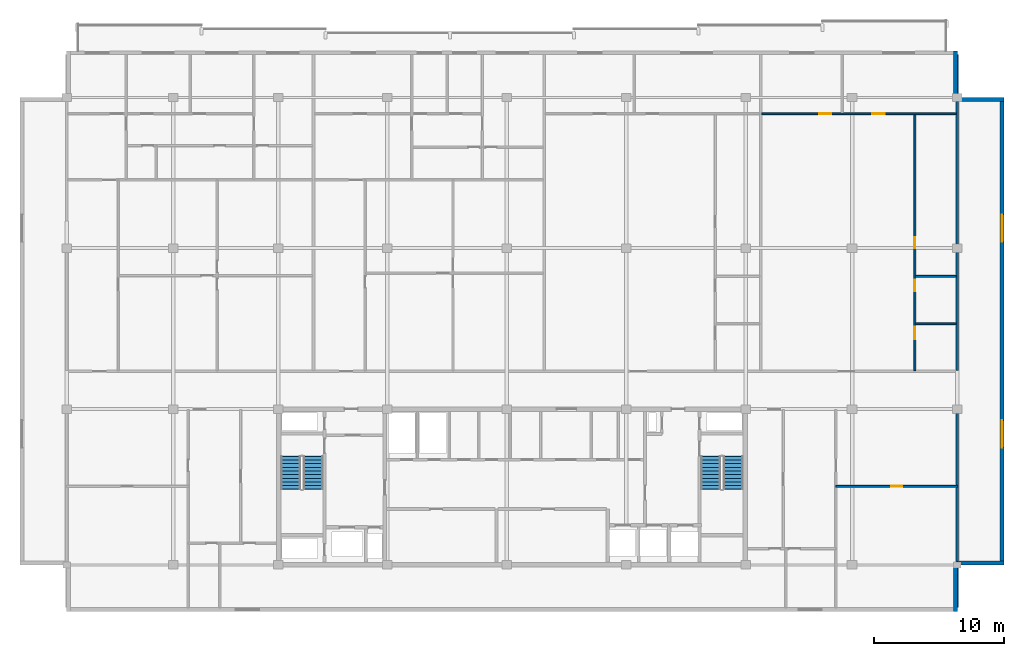
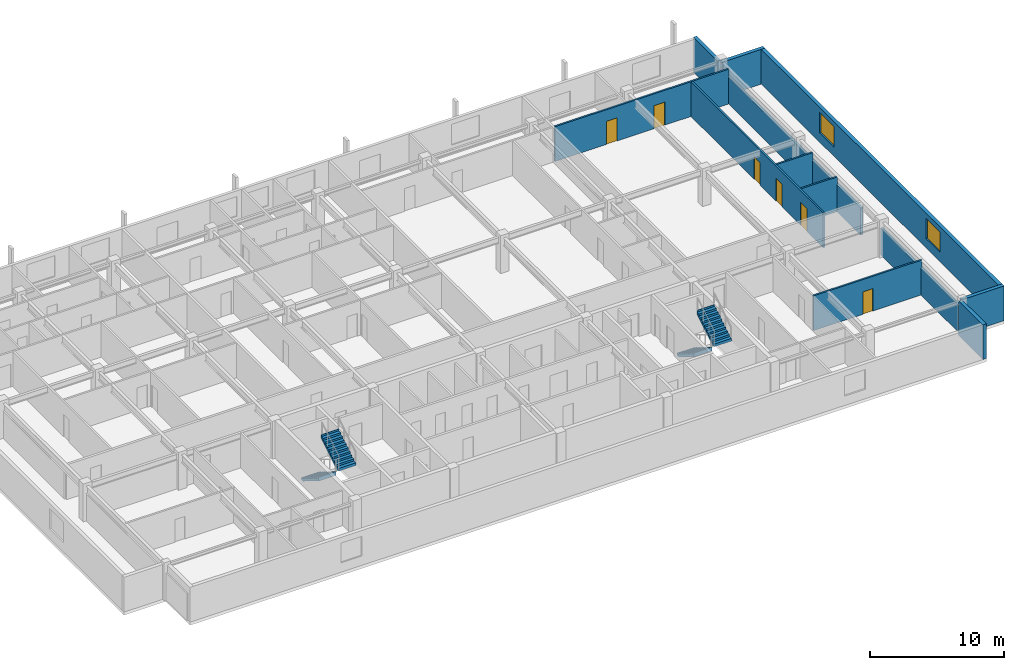
# One storey, part 9 of 11: 12 walls, 6 doors, 4 stair flights, 2 windows, 8 openings, 2 elements without a shape of their own.
"""IFC4 building model written with IfcOpenShell, lengths in metres."""

from ifc_helpers import new_model, si_unit, direction, frame, frame_2d, origin, place, context, subcontext, project, spatial, polyline, rectangle, outline, extrude, material, layer, layer_set, type_object, element, fill, aggregate, save


model = new_model("IFC4")

# Units and contexts
model_context = context("Model", 3, precision=1e-05, world=origin(), true_north=direction((0.0, 1.0)))
body_context = subcontext(model_context, "Body", "Model", "MODEL_VIEW")
ifc_project = project(units=[si_unit("LENGTHUNIT", "METRE"), si_unit("AREAUNIT", "SQUARE_METRE"), si_unit("VOLUMEUNIT", "CUBIC_METRE"), si_unit("PLANEANGLEUNIT", "RADIAN"), si_unit("MASSUNIT", "GRAM", prefix="KILO")], contexts=[model_context])

# Site, building, storey
site_placement = place(None, origin())
site = spatial("IfcSite", under=ifc_project, at=site_placement, CompositionType="ELEMENT")
building_placement = place(site_placement, origin())
building = spatial("IfcBuilding", under=site, at=building_placement, Name="Korimba Cascade Residences", CompositionType="ELEMENT")
storey_placement = place(building_placement, frame((0.0, 0.0, 252.800048828125)))
storey = spatial("IfcBuildingStorey", under=building, at=storey_placement, Name="L73", CompositionType="ELEMENT", Elevation=252.800048828125)

# Walls
ifc_material_1 = material(Name="Precast concrete C40/50", Category="concrete")
ifc_layer_1 = layer(ifc_material_1, 0.300048828125)
ifc_layer_set_1 = layer_set([ifc_layer_1], Name="Precast concrete C40/50")
wall_type_1 = type_object("IfcWallType", Name="EW-STONE-300", PredefinedType="STANDARD", material=ifc_layer_set_1)
wall_1_placement = place(storey_placement, frame((128.25, 51.60009765625, 0.0), z_axis=(0.0, 0.0, 1.0), x_axis=(0.0, 1.0, 0.0)))
element("IfcWall", 1, at=wall_1_placement, inside=storey, type_object=wall_type_1, Name="L73 T1 Perimeter Stone Wall E01", PredefinedType="STANDARD", context=body_context, shape_type="SweptSolid", body=[
    extrude(rectangle(XDim=3.599853515625, YDim=0.300048828125, at=frame_2d((1.7998046875, 0.0))), origin(), (0.0, 0.0, 1.0), 3.169921875),
])
wall_2_placement = place(storey_placement, frame((128.39990234375, 55.35009765625, 0.0), z_axis=(0.0, 0.0, 1.0), x_axis=(1.0, 0.0, 0.0)))
element("IfcWall", 2, at=wall_2_placement, inside=storey, type_object=wall_type_1, Name="L73 T1 Perimeter Stone Wall E02", PredefinedType="STANDARD", context=body_context, shape_type="SweptSolid", body=[
    extrude(rectangle(XDim=3.60009765625, YDim=0.300048828125, at=frame_2d((1.800048828125, 0.0))), origin(), (0.0, 0.0, 1.0), 3.169921875),
])

# Wall, openings, windows
wall_3_placement = place(storey_placement, frame((131.85009765625, 55.199951171875, 0.0), z_axis=(0.0, 0.0, 1.0), x_axis=(0.0, 1.0, 0.0)))
wall_3 = element("IfcWall", 3, at=wall_3_placement, inside=storey, type_object=wall_type_1, Name="L73 T1 Perimeter Stone Wall E03", PredefinedType="STANDARD", context=body_context, shape_type="SweptSolid", body=[
    extrude(rectangle(XDim=36.0, YDim=0.300048828125, at=frame_2d((18.0, 0.0))), origin(), (0.0, 0.0, 1.0), 3.169921875),
])
opening_1_placement = place(wall_3_placement, frame((9.030029296875, 0.0, 0.85009765625)))
opening_1 = element("IfcOpeningElement", 4, at=opening_1_placement, cuts=wall_3, Name="Opening W-03", PredefinedType="OPENING", context=body_context, shape_type="SweptSolid", body=[
    extrude(rectangle(XDim=2.10009765625, YDim=1.85009765625, at=frame_2d((1.050048828125, 0.925048828125))), frame((0.0, 0.16015625, 0.0), z_axis=(0.0, -1.0, 0.0), x_axis=(1.0, 0.0, 0.0)), (0.0, 0.0, 1.0), 0.320068359375),
])
opening_2_placement = place(wall_3_placement, frame((24.8701171875, 0.0, 0.85009765625)))
opening_2 = element("IfcOpeningElement", 5, at=opening_2_placement, cuts=wall_3, Name="Opening W-03", PredefinedType="OPENING", context=body_context, shape_type="SweptSolid", body=[
    extrude(rectangle(XDim=2.10009765625, YDim=1.85009765625, at=frame_2d((1.050048828125, 0.925048828125))), frame((0.0, 0.16015625, 0.0), z_axis=(0.0, -1.0, 0.0), x_axis=(1.0, 0.0, 0.0)), (0.0, 0.0, 1.0), 0.320068359375),
])
ifc_material_2 = material(Name="Double-Glazed Aluminium Window", Category="aluminium")
window_type = type_object("IfcWindowType", Name="WIN-CRN-2100", PartitioningType="DOUBLE_PANEL_HORIZONTAL", PredefinedType="WINDOW", material=ifc_material_2)
window_1_placement = place(opening_1_placement, origin())
window_1 = element("IfcWindow", 6, at=window_1_placement, inside=storey, type_object=window_type, Name="L73 T1 End View Window 3.1", OverallHeight=1.85009765625, OverallWidth=2.10009765625, PartitioningType="DOUBLE_PANEL_HORIZONTAL", PredefinedType="WINDOW", context=body_context, shape_type="SweptSolid", body=[
    extrude(rectangle(XDim=2.10009765625, YDim=1.85009765625, at=frame_2d((1.050048828125, 0.925048828125))), frame((0.0, 0.030029296875, 0.0), z_axis=(0.0, -1.0, 0.0), x_axis=(1.0, 0.0, 0.0)), (0.0, 0.0, 1.0), 0.06005859375),
])
fill(opening_1, window_1)
window_2_placement = place(opening_2_placement, origin())
window_2 = element("IfcWindow", 7, at=window_2_placement, inside=storey, type_object=window_type, Name="L73 T1 End View Window 3.2", OverallHeight=1.85009765625, OverallWidth=2.10009765625, PartitioningType="DOUBLE_PANEL_HORIZONTAL", PredefinedType="WINDOW", context=body_context, shape_type="SweptSolid", body=[
    extrude(rectangle(XDim=2.10009765625, YDim=1.85009765625, at=frame_2d((1.050048828125, 0.925048828125))), frame((0.0, 0.030029296875, 0.0), z_axis=(0.0, -1.0, 0.0), x_axis=(1.0, 0.0, 0.0)), (0.0, 0.0, 1.0), 0.06005859375),
])
fill(opening_2, window_2)

# Walls
for number, where, z_axis, x_axis, name in (
    (8, (132.0, 91.050048828125, 0.0), (0.0, 0.0, 1.0), (-1.0, 0.0, 0.0), "L73 T1 Perimeter Stone Wall E04"),
    (9, (128.25, 91.199951171875, 0.0), (0.0, 0.0, 1.0), (0.0, 1.0, 0.0), "L73 T1 Perimeter Stone Wall E05"),
):
    element("IfcWall", number, at=place(storey_placement, frame(where, z_axis=z_axis, x_axis=x_axis)), inside=storey, type_object=wall_type_1, Name=name, PredefinedType="STANDARD", context=body_context, shape_type="SweptSolid", body=[
        extrude(rectangle(XDim=3.60009765625, YDim=0.300048828125, at=frame_2d((1.800048828125, 0.0))), origin(), (0.0, 0.0, 1.0), 3.169921875),
    ])
ifc_layer_2 = layer(ifc_material_1, 0.199951171875)
ifc_layer_set_2 = layer_set([ifc_layer_2], Name="Precast concrete C40/50")
wall_type_2 = type_object("IfcWallType", Name="WAL-IT-200", PredefinedType="PARTITIONING", material=ifc_layer_set_2)
wall_4_placement = place(storey_placement, frame((128.39990234375, 51.89990234375, 0.0), z_axis=(0.0, 0.0, 1.0), x_axis=(0.0, 1.0, 0.0)))
element("IfcWall", 10, at=wall_4_placement, inside=storey, type_object=wall_type_2, Name="L73 Partition Wall WAL-L73-T1-FE-WR", PredefinedType="PARTITIONING", context=body_context, shape_type="SweptSolid", body=[
    extrude(rectangle(XDim=15.300048828125, YDim=0.199951171875, at=frame_2d((7.64990234375, 0.0))), origin(), (0.0, 0.0, 1.0), 2.47705078125),
])
wall_5_placement = place(storey_placement, frame((128.39990234375, 70.179931640625, 0.0), z_axis=(0.0, 0.0, 1.0), x_axis=(0.0, 1.0, 0.0)))
element("IfcWall", 11, at=wall_5_placement, inside=storey, type_object=wall_type_2, Name="L73 Partition Wall WAL-L73-T1-BNDWR", PredefinedType="PARTITIONING", context=body_context, shape_type="SweptSolid", body=[
    extrude(rectangle(XDim=24.320068359375, YDim=0.199951171875, at=frame_2d((12.16015625, 0.0))), origin(), (0.0, 0.0, 1.0), 2.47705078125),
])

# Wall, opening, door
ifc_material_3 = material(Name="Insulated Acoustic Stud Partition", Category="gypsum")
ifc_layer_3 = layer(ifc_material_3, 0.14990234375)
ifc_layer_set_3 = layer_set([ifc_layer_3], Name="Insulated Acoustic Stud Partition")
wall_type_3 = type_object("IfcWallType", Name="WAL-PART-150", PredefinedType="PARTITIONING", material=ifc_layer_set_3)
wall_6_placement = place(storey_placement, frame((119.050048828125, 61.25, 0.0), z_axis=(0.0, 0.0, 1.0), x_axis=(1.0, 0.0, 0.0)))
wall_6 = element("IfcWall", 12, at=wall_6_placement, inside=storey, type_object=wall_type_3, Name="L73 Partition Wall WAL-L73-T1-FE-STH", PredefinedType="PARTITIONING", context=body_context, shape_type="SweptSolid", body=[
    extrude(rectangle(XDim=9.349853515625, YDim=0.14990234375, at=frame_2d((4.6748046875, 0.0))), origin(), (0.0, 0.0, 1.0), 3.169921875),
])
opening_3_placement = place(wall_6_placement, frame((4.2548828125, 0.0, 0.0)))
opening_3 = element("IfcOpeningElement", 13, at=opening_3_placement, cuts=wall_6, Name="Opening D-BT1", PredefinedType="OPENING", context=body_context, shape_type="SweptSolid", body=[
    extrude(rectangle(XDim=0.840087890625, YDim=2.0400390625, at=frame_2d((0.419921875, 1.02001953125))), frame((0.0, 0.0849609375, 0.0), z_axis=(0.0, -1.0, 0.0), x_axis=(1.0, 0.0, 0.0)), (0.0, 0.0, 1.0), 0.169921875),
])
ifc_material_4 = material(Name="Moisture-Resistant Bathroom Timber Door", Category="wood")
door_type_1 = type_object("IfcDoorType", Name="DR-INT-850", OperationType="NOTDEFINED", PredefinedType="DOOR", material=ifc_material_4)
door_1_placement = place(opening_3_placement, origin())
door_1 = element("IfcDoor", 14, at=door_1_placement, inside=storey, type_object=door_type_1, Name="L73-T1-FE Dressing Store Door", OperationType="SINGLE_SWING_LEFT", OverallHeight=2.0400390625, OverallWidth=0.840087890625, PredefinedType="DOOR", context=body_context, shape_type="SweptSolid", body=[
    extrude(rectangle(XDim=0.840087890625, YDim=2.0400390625, at=frame_2d((0.419921875, 1.02001953125))), frame((0.0, 0.02490234375, 0.0), z_axis=(0.0, -1.0, 0.0), x_axis=(1.0, 0.0, 0.0)), (0.0, 0.0, 1.0), 0.050048828125),
])
fill(opening_3, door_1)

# Walls
for number, where, z_axis, x_axis, name in (
    (15, (125.18994140625, 73.77001953125, 0.0), (0.0, 0.0, 1.0), (1.0, 0.0, 0.0), "L73 Partition Wall WAL-L73-T1-U04-WCH"),
    (16, (125.18994140625, 77.419921875, 0.0), (0.0, 0.0, 1.0), (1.0, 0.0, 0.0), "L73 Partition Wall WAL-L73-T1-U04-WCH2"),
):
    element("IfcWall", number, at=place(storey_placement, frame(where, z_axis=z_axis, x_axis=x_axis)), inside=storey, type_object=wall_type_3, Name=name, PredefinedType="PARTITIONING", context=body_context, shape_type="SweptSolid", body=[
        extrude(rectangle(XDim=3.130126953125, YDim=0.14990234375, at=frame_2d((1.56494140625, 0.0))), origin(), (0.0, 0.0, 1.0), 3.169921875),
    ])

# Wall, openings, doors
wall_7_placement = place(storey_placement, frame((125.1298828125, 70.159912109375, 0.0), z_axis=(0.0, 0.0, 1.0), x_axis=(0.0, 1.0, 0.0)))
wall_7 = element("IfcWall", 17, at=wall_7_placement, inside=storey, type_object=wall_type_3, Name="L73 Partition Wall WAL-L73-T1-U04-WCV", PredefinedType="PARTITIONING", context=body_context, shape_type="SweptSolid", body=[
    extrude(rectangle(XDim=19.72998046875, YDim=0.14990234375, at=frame_2d((9.864990234375, 0.0))), origin(), (0.0, 0.0, 1.0), 3.169921875),
])
opening_4_placement = place(wall_7_placement, frame((2.406005859375, 0.0, 0.0)))
opening_4 = element("IfcOpeningElement", 18, at=opening_4_placement, cuts=wall_7, Name="Opening D-AC1", PredefinedType="OPENING", context=body_context, shape_type="SweptSolid", body=[
    extrude(rectangle(XDim=0.9599609375, YDim=2.10009765625, at=frame_2d((0.47998046875, 1.050048828125))), frame((0.0, 0.0849609375, 0.0), z_axis=(0.0, -1.0, 0.0), x_axis=(1.0, 0.0, 0.0)), (0.0, 0.0, 1.0), 0.169921875),
])
opening_5_placement = place(wall_7_placement, frame((6.132568359375, 0.0, 0.0)))
opening_5 = element("IfcOpeningElement", 19, at=opening_5_placement, cuts=wall_7, Name="Opening D-IN2", PredefinedType="OPENING", context=body_context, shape_type="SweptSolid", body=[
    extrude(rectangle(XDim=0.8798828125, YDim=2.06005859375, at=frame_2d((0.43994140625, 1.030029296875))), frame((0.0, 0.0849609375, 0.0), z_axis=(0.0, -1.0, 0.0), x_axis=(1.0, 0.0, 0.0)), (0.0, 0.0, 1.0), 0.169921875),
])
opening_6_placement = place(wall_7_placement, frame((9.445068359375, 0.0, 0.0)))
opening_6 = element("IfcOpeningElement", 20, at=opening_6_placement, cuts=wall_7, Name="Opening D-BT1", PredefinedType="OPENING", context=body_context, shape_type="SweptSolid", body=[
    extrude(rectangle(XDim=0.840087890625, YDim=2.0400390625, at=frame_2d((0.419921875, 1.02001953125))), frame((0.0, 0.0849609375, 0.0), z_axis=(0.0, -1.0, 0.0), x_axis=(1.0, 0.0, 0.0)), (0.0, 0.0, 1.0), 0.169921875),
])
ifc_material_5 = material(Name="Accessible Acoustic Timber WC Door", Category="wood")
door_type_2 = type_object("IfcDoorType", Name="DR-ACC-950", OperationType="NOTDEFINED", PredefinedType="DOOR", material=ifc_material_5)
door_2_placement = place(opening_4_placement, origin())
door_2 = element("IfcDoor", 21, at=door_2_placement, inside=storey, type_object=door_type_2, Name="L73-T1-U04 Accessible WC Door", OperationType="SINGLE_SWING_LEFT", OverallHeight=2.10009765625, OverallWidth=0.9599609375, PredefinedType="DOOR", context=body_context, shape_type="SweptSolid", body=[
    extrude(rectangle(XDim=0.9599609375, YDim=2.10009765625, at=frame_2d((0.47998046875, 1.050048828125))), frame((0.0, 0.02490234375, 0.0), z_axis=(0.0, -1.0, 0.0), x_axis=(1.0, 0.0, 0.0)), (0.0, 0.0, 1.0), 0.050048828125),
])
fill(opening_4, door_2)
door_3_placement = place(opening_6_placement, origin())
door_3 = element("IfcDoor", 22, at=door_3_placement, inside=storey, type_object=door_type_1, Name="L73-T1-U04 Suite Store Door", OperationType="SINGLE_SWING_LEFT", OverallHeight=2.0400390625, OverallWidth=0.840087890625, PredefinedType="DOOR", context=body_context, shape_type="SweptSolid", body=[
    extrude(rectangle(XDim=0.840087890625, YDim=2.0400390625, at=frame_2d((0.419921875, 1.02001953125))), frame((0.0, 0.02490234375, 0.0), z_axis=(0.0, -1.0, 0.0), x_axis=(1.0, 0.0, 0.0)), (0.0, 0.0, 1.0), 0.050048828125),
])
fill(opening_6, door_3)
ifc_material_6 = material(Name="Acoustic Timber Bedroom Door", Category="wood")
door_type_3 = type_object("IfcDoorType", Name="DR-INT-880", OperationType="NOTDEFINED", PredefinedType="DOOR", material=ifc_material_6)
door_4_placement = place(opening_5_placement, origin())
door_4 = element("IfcDoor", 23, at=door_4_placement, inside=storey, type_object=door_type_3, Name="L73-T1-U04 Restroom WC Door", OperationType="SINGLE_SWING_RIGHT", OverallHeight=2.06005859375, OverallWidth=0.8798828125, PredefinedType="DOOR", context=body_context, shape_type="SweptSolid", body=[
    extrude(rectangle(XDim=0.8798828125, YDim=2.06005859375, at=frame_2d((0.43994140625, 1.030029296875))), frame((0.0, 0.02490234375, 0.0), z_axis=(0.0, -1.0, 0.0), x_axis=(1.0, 0.0, 0.0)), (0.0, 0.0, 1.0), 0.050048828125),
])
fill(opening_5, door_4)

wall_8_placement = place(storey_placement, frame((113.339111328125, 89.949951171875, 0.0), z_axis=(0.0, 0.0, 1.0), x_axis=(1.0, 0.0, 0.0)))
wall_8 = element("IfcWall", 24, at=wall_8_placement, inside=storey, type_object=wall_type_3, Name="L73 Partition Wall WAL-L73-T1-U04-HZ", PredefinedType="PARTITIONING", context=body_context, shape_type="SweptSolid", body=[
    extrude(rectangle(XDim=14.98095703125, YDim=0.14990234375, at=frame_2d((7.490478515625, 0.0))), origin(), (0.0, 0.0, 1.0), 3.169921875),
])
opening_7_placement = place(wall_8_placement, frame((4.426025390625, 0.0, 0.0)))
opening_7 = element("IfcOpeningElement", 25, at=opening_7_placement, cuts=wall_8, Name="Opening D-IN0", PredefinedType="OPENING", context=body_context, shape_type="SweptSolid", body=[
    extrude(rectangle(XDim=0.93994140625, YDim=2.10009765625, at=frame_2d((0.469970703125, 1.050048828125))), frame((0.0, 0.0849609375, 0.0), z_axis=(0.0, -1.0, 0.0), x_axis=(1.0, 0.0, 0.0)), (0.0, 0.0, 1.0), 0.169921875),
])
opening_8_placement = place(wall_8_placement, frame((8.518310546875, 0.0, 0.0)))
opening_8 = element("IfcOpeningElement", 26, at=opening_8_placement, cuts=wall_8, Name="Opening D-IN0", PredefinedType="OPENING", context=body_context, shape_type="SweptSolid", body=[
    extrude(rectangle(XDim=0.93994140625, YDim=2.10009765625, at=frame_2d((0.469970703125, 1.050048828125))), frame((0.0, 0.0849609375, 0.0), z_axis=(0.0, -1.0, 0.0), x_axis=(1.0, 0.0, 0.0)), (0.0, 0.0, 1.0), 0.169921875),
])
ifc_material_7 = material(Name="Acoustic Timber Living Archway Door", Category="wood")
door_type_4 = type_object("IfcDoorType", Name="DR-INT-950", OperationType="NOTDEFINED", PredefinedType="DOOR", material=ifc_material_7)
door_5_placement = place(opening_7_placement, origin())
door_5 = element("IfcDoor", 27, at=door_5_placement, inside=storey, type_object=door_type_4, Name="L73-T1-U04 Executive Co-Working Office Door", OperationType="SINGLE_SWING_RIGHT", OverallHeight=2.10009765625, OverallWidth=0.93994140625, PredefinedType="DOOR", context=body_context, shape_type="SweptSolid", body=[
    extrude(rectangle(XDim=0.93994140625, YDim=2.10009765625, at=frame_2d((0.469970703125, 1.050048828125))), frame((0.0, 0.02490234375, 0.0), z_axis=(0.0, -1.0, 0.0), x_axis=(1.0, 0.0, 0.0)), (0.0, 0.0, 1.0), 0.050048828125),
])
fill(opening_7, door_5)
door_6_placement = place(opening_8_placement, origin())
door_6 = element("IfcDoor", 28, at=door_6_placement, inside=storey, type_object=door_type_4, Name="L73-T1-U04 Focus Workstation Office Door", OperationType="SINGLE_SWING_LEFT", OverallHeight=2.10009765625, OverallWidth=0.93994140625, PredefinedType="DOOR", context=body_context, shape_type="SweptSolid", body=[
    extrude(rectangle(XDim=0.93994140625, YDim=2.10009765625, at=frame_2d((0.469970703125, 1.050048828125))), frame((0.0, 0.02490234375, 0.0), z_axis=(0.0, -1.0, 0.0), x_axis=(1.0, 0.0, 0.0)), (0.0, 0.0, 1.0), 0.050048828125),
])
fill(opening_8, door_6)

# Stair, stair flights
ifc_material_8 = material(Name="Concrete C50/60", Category="concrete")
stair_type_1 = type_object("IfcStairType", Name="STR-W1-20R-1725", PredefinedType="HALF_TURN_STAIR", material=ifc_material_8)
stair_1_placement = place(storey_placement, origin())
stair_1 = element("IfcStair", 29, at=stair_1_placement, inside=storey, type_object=stair_type_1, Name="L73 Tower 1 West Fire Stair ST-W1", PredefinedType="HALF_TURN_STAIR")
stair_flight_type = type_object("IfcStairFlightType", Name="STF-DL-20R-1725-1520", PredefinedType="STRAIGHT", material=ifc_material_8)
stair_flight_1_placement = place(storey_placement, frame((77.06005859375, 63.550048828125, 0.0), z_axis=(0.0, 0.0, 1.0), x_axis=(0.0, -1.0, 0.0)))
stair_flight_1 = element("IfcStairFlight", 30, at=stair_flight_1_placement, type_object=stair_flight_type, Name="ST-W1 flight 1", NumberOfRisers=10, NumberOfTreads=9, PredefinedType="STRAIGHT", RiserHeight=0.1725, TreadLength=0.28, context=body_context, shape_type="SweptSolid", body=[
    extrude(outline(polyline([(-0.0380859375, 0.0), (0.0, 0.172607421875), (0.280029296875, 0.172607421875), (0.280029296875, 0.344970703125), (0.56005859375, 0.344970703125), (0.56005859375, 0.517578125), (0.840087890625, 0.517578125), (0.840087890625, 0.68994140625), (1.1201171875, 0.68994140625), (1.1201171875, 0.862548828125), (1.39990234375, 0.862548828125), (1.39990234375, 1.034912109375), (1.679931640625, 1.034912109375), (1.679931640625, 1.20751953125), (1.9599609375, 1.20751953125), (1.9599609375, 1.3798828125), (2.239990234375, 1.3798828125), (2.239990234375, 1.552490234375), (2.52001953125, 1.552490234375), (2.52001953125, 1.72509765625), (2.55810546875, 1.72509765625), (2.55810546875, 1.37646484375), (0.285888671875, 0.0), (0.285888671875, -0.0380859375), (-0.0380859375, -0.0380859375), (-0.0380859375, 0.0)])), frame((0.0, 0.760009765625, 0.0), z_axis=(0.0, -1.0, 0.0), x_axis=(1.0, 0.0, 0.0)), (0.0, 0.0, 1.0), 1.52001953125),
])
stair_flight_2_placement = place(storey_placement, frame((78.780029296875, 61.030029296875, 1.724853515625), z_axis=(0.0, 0.0, 1.0), x_axis=(0.0, 1.0, 0.0)))
stair_flight_2 = element("IfcStairFlight", 31, at=stair_flight_2_placement, type_object=stair_flight_type, Name="ST-W1 flight 2", NumberOfRisers=10, NumberOfTreads=9, PredefinedType="STRAIGHT", RiserHeight=0.1725, TreadLength=0.28, context=body_context, shape_type="SweptSolid", body=[
    extrude(outline(polyline([(-0.0380859375, 0.0), (0.0, 0.172607421875), (0.280029296875, 0.172607421875), (0.280029296875, 0.344970703125), (0.56005859375, 0.344970703125), (0.56005859375, 0.517578125), (0.840087890625, 0.517578125), (0.840087890625, 0.68994140625), (1.1201171875, 0.68994140625), (1.1201171875, 0.862548828125), (1.39990234375, 0.862548828125), (1.39990234375, 1.034912109375), (1.679931640625, 1.034912109375), (1.679931640625, 1.20751953125), (1.9599609375, 1.20751953125), (1.9599609375, 1.3798828125), (2.239990234375, 1.3798828125), (2.239990234375, 1.552490234375), (2.52001953125, 1.552490234375), (2.52001953125, 1.72509765625), (2.55810546875, 1.72509765625), (2.55810546875, 1.37646484375), (0.285888671875, 0.0), (0.285888671875, -0.0380859375), (-0.0380859375, -0.0380859375), (-0.0380859375, 0.0)])), frame((0.0, 0.760009765625, 0.0), z_axis=(0.0, -1.0, 0.0), x_axis=(1.0, 0.0, 0.0)), (0.0, 0.0, 1.0), 1.52001953125),
])
aggregate(stair_1, [stair_flight_1, stair_flight_2])

stair_type_2 = type_object("IfcStairType", Name="STR-W2-20R-1725", PredefinedType="HALF_TURN_STAIR", material=ifc_material_8)
stair_2_placement = place(storey_placement, origin())
stair_2 = element("IfcStair", 32, at=stair_2_placement, inside=storey, type_object=stair_type_2, Name="L73 Tower 1 East Fire Stair ST-W2", PredefinedType="HALF_TURN_STAIR")
stair_flight_3_placement = place(storey_placement, frame((109.419921875, 63.550048828125, 0.0), z_axis=(0.0, 0.0, 1.0), x_axis=(0.0, -1.0, 0.0)))
stair_flight_3 = element("IfcStairFlight", 33, at=stair_flight_3_placement, type_object=stair_flight_type, Name="ST-W2 flight 1", NumberOfRisers=10, NumberOfTreads=9, PredefinedType="STRAIGHT", RiserHeight=0.1725, TreadLength=0.28, context=body_context, shape_type="SweptSolid", body=[
    extrude(outline(polyline([(-0.0380859375, 0.0), (0.0, 0.172607421875), (0.280029296875, 0.172607421875), (0.280029296875, 0.344970703125), (0.56005859375, 0.344970703125), (0.56005859375, 0.517578125), (0.840087890625, 0.517578125), (0.840087890625, 0.68994140625), (1.1201171875, 0.68994140625), (1.1201171875, 0.862548828125), (1.39990234375, 0.862548828125), (1.39990234375, 1.034912109375), (1.679931640625, 1.034912109375), (1.679931640625, 1.20751953125), (1.9599609375, 1.20751953125), (1.9599609375, 1.3798828125), (2.239990234375, 1.3798828125), (2.239990234375, 1.552490234375), (2.52001953125, 1.552490234375), (2.52001953125, 1.72509765625), (2.55810546875, 1.72509765625), (2.55810546875, 1.37646484375), (0.285888671875, 0.0), (0.285888671875, -0.0380859375), (-0.0380859375, -0.0380859375), (-0.0380859375, 0.0)])), frame((0.0, 0.760009765625, 0.0), z_axis=(0.0, -1.0, 0.0), x_axis=(1.0, 0.0, 0.0)), (0.0, 0.0, 1.0), 1.52001953125),
])
stair_flight_4_placement = place(storey_placement, frame((111.139892578125, 61.030029296875, 1.724853515625), z_axis=(0.0, 0.0, 1.0), x_axis=(0.0, 1.0, 0.0)))
stair_flight_4 = element("IfcStairFlight", 34, at=stair_flight_4_placement, type_object=stair_flight_type, Name="ST-W2 flight 2", NumberOfRisers=10, NumberOfTreads=9, PredefinedType="STRAIGHT", RiserHeight=0.1725, TreadLength=0.28, context=body_context, shape_type="SweptSolid", body=[
    extrude(outline(polyline([(-0.0380859375, 0.0), (0.0, 0.172607421875), (0.280029296875, 0.172607421875), (0.280029296875, 0.344970703125), (0.56005859375, 0.344970703125), (0.56005859375, 0.517578125), (0.840087890625, 0.517578125), (0.840087890625, 0.68994140625), (1.1201171875, 0.68994140625), (1.1201171875, 0.862548828125), (1.39990234375, 0.862548828125), (1.39990234375, 1.034912109375), (1.679931640625, 1.034912109375), (1.679931640625, 1.20751953125), (1.9599609375, 1.20751953125), (1.9599609375, 1.3798828125), (2.239990234375, 1.3798828125), (2.239990234375, 1.552490234375), (2.52001953125, 1.552490234375), (2.52001953125, 1.72509765625), (2.55810546875, 1.72509765625), (2.55810546875, 1.37646484375), (0.285888671875, 0.0), (0.285888671875, -0.0380859375), (-0.0380859375, -0.0380859375), (-0.0380859375, 0.0)])), frame((0.0, 0.760009765625, 0.0), z_axis=(0.0, -1.0, 0.0), x_axis=(1.0, 0.0, 0.0)), (0.0, 0.0, 1.0), 1.52001953125),
])
aggregate(stair_2, [stair_flight_3, stair_flight_4])

save(model, "model.ifc")
